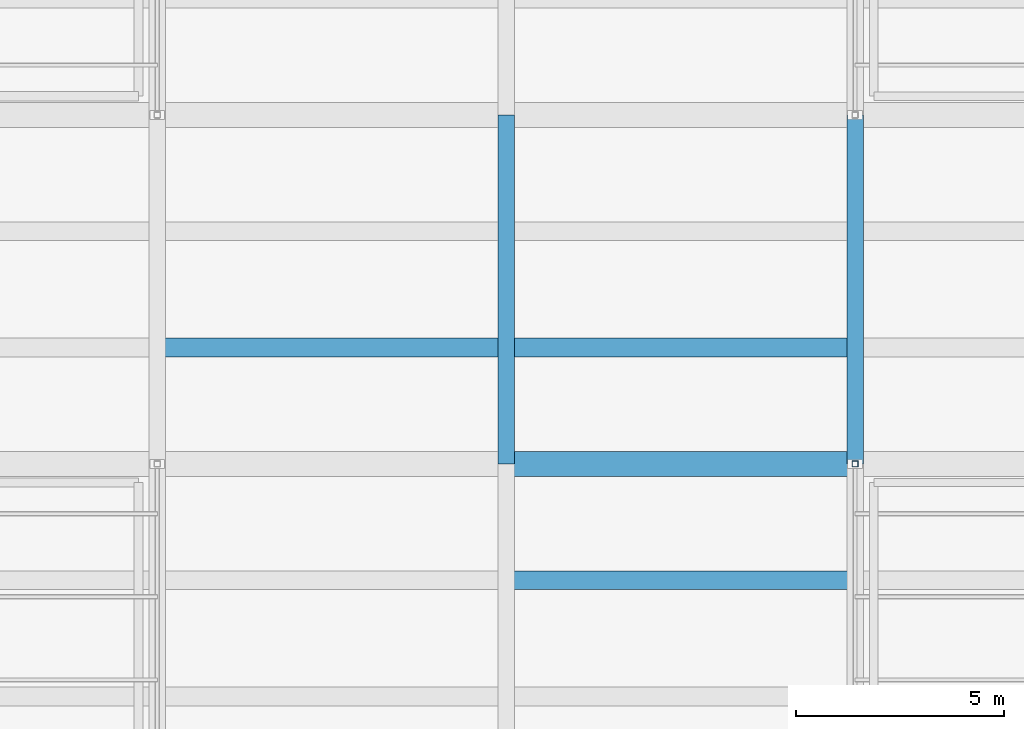
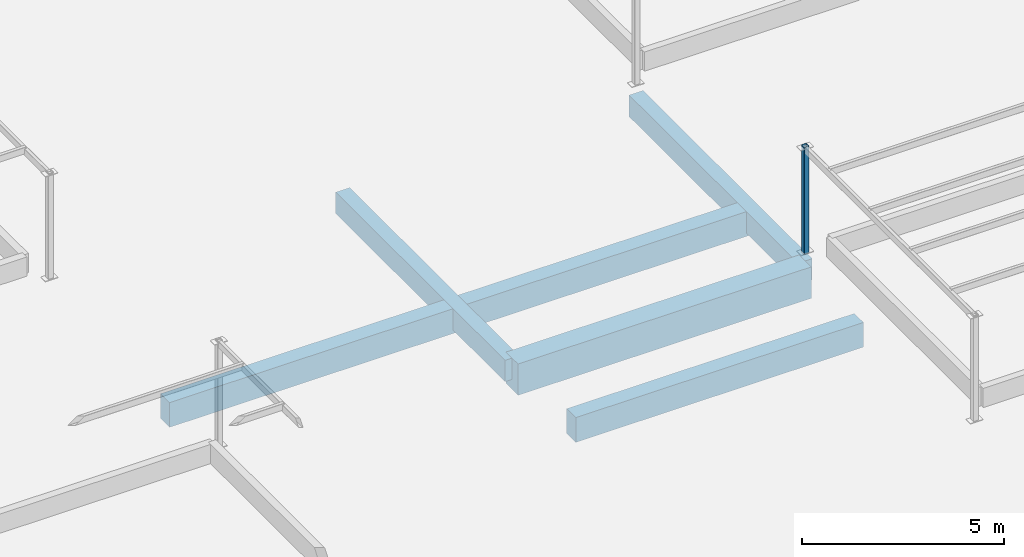
# One storey, part 14 of 129: 6 beams, 1 member.
"""IFC4 building model written with IfcOpenShell, lengths in metres."""

from ifc_helpers import new_model, si_unit, direction, frame, origin, origin_2d, place, context, subcontext, project, spatial, rectangle, hollow_rectangle, extrude, material, material_profile, profile_set, type_object, element, save


model = new_model("IFC4")

# Units and contexts
model_context = context("Model", 3, precision=1e-05, world=origin(), true_north=direction((0.0, 1.0)))
body_context = subcontext(model_context, "Body", "Model", "MODEL_VIEW")
ifc_project = project(units=[si_unit("LENGTHUNIT", "METRE"), si_unit("AREAUNIT", "SQUARE_METRE"), si_unit("VOLUMEUNIT", "CUBIC_METRE"), si_unit("PLANEANGLEUNIT", "RADIAN"), si_unit("MASSUNIT", "GRAM", prefix="KILO")], contexts=[model_context])

# Site, building, storey
site_placement = place(None, origin())
site = spatial("IfcSite", under=ifc_project, at=site_placement, CompositionType="ELEMENT")
building_placement = place(site_placement, origin())
building = spatial("IfcBuilding", under=site, at=building_placement, Name="Varnapada Polytechnic", CompositionType="ELEMENT")
storey_placement = place(building_placement, origin())
storey = spatial("IfcBuildingStorey", under=building, at=storey_placement, Name="L00", CompositionType="ELEMENT", Elevation=0.0)

# Beams
ifc_material_1 = material(Name="Concrete C40/50", Category="concrete")
ifc_material_profile_1 = material_profile(ifc_material_1, rectangle(XDim=0.449951171875, YDim=0.75, at=origin_2d()), Name="RC 450x750")
ifc_profile_set_1 = profile_set([ifc_material_profile_1], Name="Concrete C40/50")
beam_type_1 = type_object("IfcBeamType", Name="Basement/podium secondary beam BB-01 (RC 450x750)", PredefinedType="BEAM", material=ifc_profile_set_1)
for number, where, z_axis, x_axis, name in (
    (1, (75.679931640625, 61.60009765625, -0.655029296875), (1.0, 0.0, 0.0), (0.0, 1.0, 0.0), "L00 floor joist 10/8.1"),
    (2, (84.080078125, 56.0, -0.655029296875), (1.0, 0.0, 0.0), (0.0, 1.0, 0.0), "L00 floor joist 11/7.2"),
    (3, (84.080078125, 61.60009765625, -0.655029296875), (1.0, 0.0, 0.0), (0.0, 1.0, 0.0), "L00 floor joist 11/8.1"),
):
    element("IfcBeam", number, at=place(storey_placement, frame(where, z_axis=z_axis, x_axis=x_axis)), inside=storey, type_object=beam_type_1, Name=name, PredefinedType="BEAM", context=body_context, shape_type="SweptSolid", body=[
        extrude(rectangle(XDim=0.449951171875, YDim=0.75, at=origin_2d()), origin(), (0.0, 0.0, 1.0), 8.239990234375),
    ])
ifc_material_profile_2 = material_profile(ifc_material_1, rectangle(XDim=0.39990234375, YDim=0.64990234375, at=origin_2d()), Name="RC 400x650")
ifc_profile_set_2 = profile_set([ifc_material_profile_2], Name="Concrete C40/50")
beam_type_2 = type_object("IfcBeamType", Name="Podium framing beam BB-02 (RC 400x650)", PredefinedType="BEAM", material=ifc_profile_set_2)
for number, where, z_axis, x_axis, name in (
    (4, (84.0, 58.800048828125, -0.60498046875), (0.0, 1.0, 0.0), (-1.0, 0.0, 0.0), "L00 beam Y 8-9 at X11"),
    (5, (92.39990234375, 58.800048828125, -0.60498046875), (0.0, 1.0, 0.0), (-1.0, 0.0, 0.0), "L00 beam Y 8-9 at X12"),
):
    element("IfcBeam", number, at=place(storey_placement, frame(where, z_axis=z_axis, x_axis=x_axis)), inside=storey, type_object=beam_type_2, Name=name, PredefinedType="BEAM", context=body_context, shape_type="SweptSolid", body=[
        extrude(rectangle(XDim=0.39990234375, YDim=0.64990234375, at=origin_2d()), origin(), (0.0, 0.0, 1.0), 8.39990234375),
    ])

# Member
ifc_material_2 = material(Name="Steel S355", Category="steel")
ifc_material_profile_3 = material_profile(ifc_material_2, hollow_rectangle(XDim=0.14990234375, YDim=0.14990234375, WallThickness=0.00634765625, InnerFilletRadius=0.006103515625, OuterFilletRadius=0.011962890625, at=origin_2d()), Name="SHS 150x150x6.3")
ifc_profile_set_3 = profile_set([ifc_material_profile_3], Name="Steel S355")
member_type = type_object("IfcMemberType", Name="Sawtooth north-light mullion post SFP-02 (SHS 150x150x6.3)", PredefinedType="POST", material=ifc_profile_set_3)
member_placement = place(storey_placement, frame((92.39990234375, 58.800048828125, -0.02001953125), z_axis=(0.0, 0.0, 1.0), x_axis=(1.0, 0.0, 0.0)))
element("IfcMember", 6, at=member_placement, inside=storey, type_object=member_type, Name="Courtyard planted garden trellis post CT-BED-2.1.2", PredefinedType="POST", context=body_context, shape_type="SweptSolid", body=[
    extrude(hollow_rectangle(XDim=0.14990234375, YDim=0.14990234375, WallThickness=0.00634765625, InnerFilletRadius=0.006103515625, OuterFilletRadius=0.011962890625, at=origin_2d()), origin(), (0.0, 0.0, 1.0), 3.239990234375),
])

# Beam
ifc_material_profile_4 = material_profile(ifc_material_1, rectangle(XDim=0.60009765625, YDim=0.949951171875, at=origin_2d()), Name="RC 600x950")
ifc_profile_set_4 = profile_set([ifc_material_profile_4], Name="Concrete C40/50")
beam_type_3 = type_object("IfcBeamType", Name="Workshop podium heavy girder BG-03 (RC 600x950)", PredefinedType="T_BEAM", material=ifc_profile_set_4)
beam_placement = place(storey_placement, frame((84.0, 58.800048828125, -0.7548828125), z_axis=(1.0, 0.0, 0.0), x_axis=(0.0, 1.0, 0.0)))
element("IfcBeam", 7, at=beam_placement, inside=storey, type_object=beam_type_3, Name="L00 beam X 11-12 at Y8", PredefinedType="T_BEAM", context=body_context, shape_type="SweptSolid", body=[
    extrude(rectangle(XDim=0.60009765625, YDim=0.949951171875, at=origin_2d()), origin(), (0.0, 0.0, 1.0), 8.39990234375),
])

save(model, "model.ifc")
